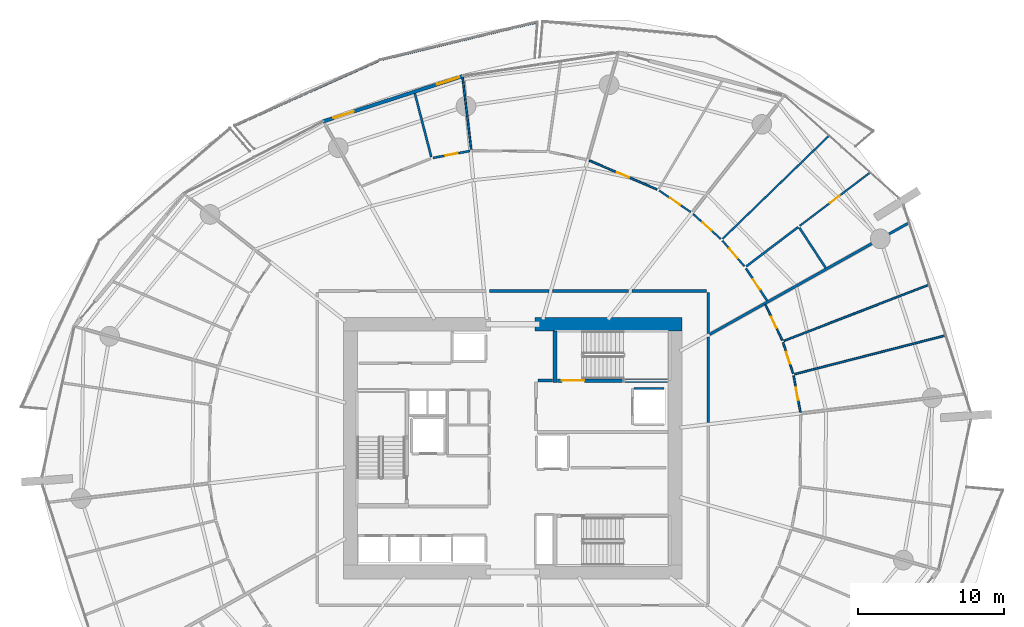
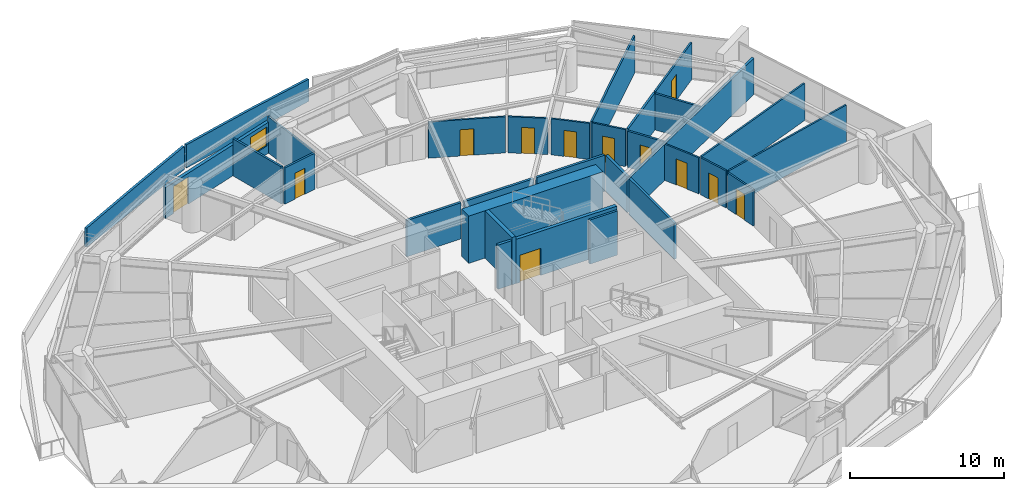
# One storey, part 23 of 31: 31 walls, 12 doors, 1 window, 13 openings.
"""IFC4 building model written with IfcOpenShell, lengths in metres."""

from ifc_helpers import new_model, si_unit, direction, frame, frame_2d, origin, place, context, subcontext, project, spatial, polyline, rectangle, outline, extrude, material, layer, layer_set, type_object, element, fill, save


model = new_model("IFC4")

# Units and contexts
model_context = context("Model", 3, precision=1e-05, world=origin(), true_north=direction((0.0, 1.0)))
body_context = subcontext(model_context, "Body", "Model", "MODEL_VIEW")
ifc_project = project(units=[si_unit("LENGTHUNIT", "METRE"), si_unit("AREAUNIT", "SQUARE_METRE"), si_unit("VOLUMEUNIT", "CUBIC_METRE"), si_unit("PLANEANGLEUNIT", "RADIAN"), si_unit("MASSUNIT", "GRAM", prefix="KILO")], contexts=[model_context])

# Site, building, storey
site_placement = place(None, origin())
site = spatial("IfcSite", under=ifc_project, at=site_placement, CompositionType="ELEMENT")
building_placement = place(site_placement, origin())
building = spatial("IfcBuilding", under=site, at=building_placement, Name="Kazma Halo Residences", CompositionType="ELEMENT")
storey_placement = place(building_placement, frame((0.0, 0.0, 30.14990234375)))
storey = spatial("IfcBuildingStorey", under=building, at=storey_placement, Name="L06", CompositionType="ELEMENT", Elevation=30.14990234375)

# Walls
ifc_material_1 = material(Name="White Concrete C50/60 Balustrade", Category="concrete")
ifc_layer_1 = layer(ifc_material_1, 0.179931640625)
ifc_layer_set_1 = layer_set([ifc_layer_1], Name="White Concrete C50/60 Balustrade")
wall_type_1 = type_object("IfcWallType", Name="WL-BAL-WAVE-180", PredefinedType="PARAPET", material=ifc_layer_set_1)
wall_1_placement = place(storey_placement, frame((50.115234375, 71.1533203125, 0.0), z_axis=(0.0, 0.0, 1.0), x_axis=(-0.972165741218, -0.234294198824, 0.0)))
element("IfcWall", 1, at=wall_1_placement, inside=storey, type_object=wall_type_1, Name="L06 white wave balustrade wall NNW.1", PredefinedType="PARAPET", context=body_context, shape_type="SweptSolid", body=[
    extrude(outline(polyline([(0.0, 0.0), (10.93408203125, 0.0), (10.93408203125, 1.83203125), (5.467041015625, 1.85302734375), (0.0, 1.756103515625), (0.0, 0.0)])), frame((0.0, 0.08984375, 0.0), z_axis=(0.0, -1.0, 0.0), x_axis=(1.0, 0.0, 0.0)), (0.0, 0.0, 1.0), 0.179931640625),
])
wall_2_placement = place(storey_placement, frame((39.259521484375, 68.51416015625, 0.0), z_axis=(0.0, 0.0, 1.0), x_axis=(-0.911628502068, -0.411015175167, 0.0)))
element("IfcWall", 2, at=wall_2_placement, inside=storey, type_object=wall_type_1, Name="L06 white wave balustrade wall NNW.2", PredefinedType="PARAPET", context=body_context, shape_type="SweptSolid", body=[
    extrude(outline(polyline([(0.0, 0.0), (10.82861328125, 0.0), (10.82861328125, 1.4970703125), (5.414306640625, 1.696044921875), (0.0, 1.83203125), (0.0, 0.0)])), frame((0.0, 0.08984375, 0.0), z_axis=(0.0, -1.0, 0.0), x_axis=(1.0, 0.0, 0.0)), (0.0, 0.0, 1.0), 0.179931640625),
])
ifc_material_2 = material(Name="Concrete C80/95", Category="concrete")
ifc_layer_2 = layer(ifc_material_2, 0.949951171875)
ifc_layer_set_2 = layer_set([ifc_layer_2], Name="Concrete C80/95")
wall_type_2 = type_object("IfcWallType", Name="WL-CORE-950", PredefinedType="SHEAR", material=ifc_layer_set_2)
wall_3_placement = place(storey_placement, frame((49.949951171875, 50.47509765625, 0.0), z_axis=(0.0, 0.0, 1.0), x_axis=(1.0, 0.0, 0.0)))
element("IfcWall", 3, at=wall_3_placement, inside=storey, type_object=wall_type_2, Name="L06 central core shear wall NE", PredefinedType="SHEAR", context=body_context, shape_type="SweptSolid", body=[
    extrude(rectangle(XDim=10.050048828125, YDim=0.949951171875, at=frame_2d((5.02490234375, 0.0))), origin(), (0.0, 0.0, 1.0), 3.75),
])
ifc_material_3 = material(Name="Concrete C60/75", Category="concrete")
ifc_layer_3 = layer(ifc_material_3, 0.280029296875)
ifc_layer_set_3 = layer_set([ifc_layer_3], Name="Concrete C60/75")
wall_type_3 = type_object("IfcWallType", Name="WL-CORE-ST-280", PredefinedType="SHEAR", material=ifc_layer_set_3)
wall_4_placement = place(storey_placement, frame((51.31005859375, 46.5, 0.0), z_axis=(0.0, 0.0, 1.0), x_axis=(0.0, 1.0, 0.0)))
element("IfcWall", 4, at=wall_4_placement, inside=storey, type_object=wall_type_3, Name="L06 stairwell bearing wall ST02-W", PredefinedType="SHEAR", context=body_context, shape_type="SweptSolid", body=[
    extrude(rectangle(XDim=3.5, YDim=0.280029296875, at=frame_2d((1.75, 0.0))), origin(), (0.0, 0.0, 1.0), 3.75),
])
ifc_material_4 = material(Name="Acoustic Twin-Stud Gypsum")
ifc_layer_4 = layer(ifc_material_4, 0.179931640625)
ifc_layer_set_4 = layer_set([ifc_layer_4], Name="Acoustic Twin-Stud Gypsum")
wall_type_4 = type_object("IfcWallType", Name="WL-DEM-180", PredefinedType="PARTITIONING", material=ifc_layer_set_4)
wall_5_placement = place(storey_placement, frame((61.89599609375, 49.781982421875, 0.0), z_axis=(0.0, 0.0, 1.0), x_axis=(0.872493215695, 0.488626225828, 0.0)))
element("IfcWall", 5, at=wall_5_placement, inside=storey, type_object=wall_type_4, Name="L06 apartment demising radial wall 00", PredefinedType="PARTITIONING", context=body_context, shape_type="SweptSolid", body=[
    extrude(rectangle(XDim=15.612060546875, YDim=0.179931640625, at=frame_2d((7.80615234375, 0.0))), origin(), (0.0, 0.0, 1.0), 2.8671875),
])
wall_6_placement = place(storey_placement, frame((61.800048828125, 49.848388671875, 0.0), z_axis=(0.0, 0.0, 1.0), x_axis=(0.0, 1.0, 0.0)))
element("IfcWall", 6, at=wall_6_placement, inside=storey, type_object=wall_type_4, Name="L06 Apartment 1 inner wall 0", PredefinedType="PARTITIONING", context=body_context, shape_type="SweptSolid", body=[
    extrude(rectangle(XDim=2.781494140625, YDim=0.179931640625, at=frame_2d((1.390625, 0.0))), origin(), (0.0, 0.0, 1.0), 2.8671875),
])
wall_7_placement = place(storey_placement, frame((61.679931640625, 52.75, 0.0), z_axis=(0.0, 0.0, 1.0), x_axis=(-1.0, 0.0, 0.0)))
element("IfcWall", 7, at=wall_7_placement, inside=storey, type_object=wall_type_4, Name="L06 Apartment 1 inner wall 0", PredefinedType="PARTITIONING", context=body_context, shape_type="SweptSolid", body=[
    extrude(rectangle(XDim=5.08544921875, YDim=0.179931640625, at=frame_2d((2.542724609375, 0.0))), origin(), (0.0, 0.0, 1.0), 2.8671875),
])
wall_8_placement = place(storey_placement, frame((56.3544921875, 52.75, 0.0), z_axis=(0.0, 0.0, 1.0), x_axis=(-1.0, 0.0, 0.0)))
element("IfcWall", 8, at=wall_8_placement, inside=storey, type_object=wall_type_4, Name="L06 Apartment 1 inner wall 1", PredefinedType="PARTITIONING", context=body_context, shape_type="SweptSolid", body=[
    extrude(rectangle(XDim=5.20263671875, YDim=0.179931640625, at=frame_2d((2.601318359375, 0.0))), origin(), (0.0, 0.0, 1.0), 2.8671875),
])
wall_9_placement = place(storey_placement, frame((50.911865234375, 52.75, 0.0), z_axis=(0.0, 0.0, 1.0), x_axis=(-1.0, 0.0, 0.0)))
element("IfcWall", 9, at=wall_9_placement, inside=storey, type_object=wall_type_4, Name="L06 Apartment 1 inner wall 2", PredefinedType="PARTITIONING", context=body_context, shape_type="SweptSolid", body=[
    extrude(rectangle(XDim=4.064208984375, YDim=0.179931640625, at=frame_2d((2.0322265625, 0.0))), origin(), (0.0, 0.0, 1.0), 2.8671875),
])
wall_10_placement = place(storey_placement, frame((61.800048828125, 43.75341796875, 0.0), z_axis=(0.0, 0.0, 1.0), x_axis=(0.0, 1.0, 0.0)))
element("IfcWall", 10, at=wall_10_placement, inside=storey, type_object=wall_type_4, Name="L06 Apartment 2 inner wall 15", PredefinedType="PARTITIONING", context=body_context, shape_type="SweptSolid", body=[
    extrude(rectangle(XDim=5.85498046875, YDim=0.179931640625, at=frame_2d((2.927490234375, 0.0))), origin(), (0.0, 0.0, 1.0), 2.8671875),
])

# Wall, openings, door, window
ifc_material_5 = material(Name="Insulated Pale-Metal Composite Wall")
ifc_layer_5 = layer(ifc_material_5, 0.239990234375)
ifc_layer_set_5 = layer_set([ifc_layer_5], Name="Insulated Pale-Metal Composite Wall")
wall_type_5 = type_object("IfcWallType", Name="WL-EXT-HOST-240", PredefinedType="SOLIDWALL", material=ifc_layer_set_5)
wall_11_placement = place(storey_placement, frame((45.0361328125, 67.45849609375, 0.0), z_axis=(0.0, 0.0, 1.0), x_axis=(-0.951054679225, -0.309022648238, 0.0)))
wall_11 = element("IfcWall", 11, at=wall_11_placement, inside=storey, type_object=wall_type_5, Name="L06 exterior terrace-access wall B04", PredefinedType="SOLIDWALL", context=body_context, shape_type="SweptSolid", body=[
    extrude(rectangle(XDim=10.0966796875, YDim=0.239990234375, at=frame_2d((5.04833984375, 0.0))), origin(), (0.0, 0.0, 1.0), 2.4501953125),
])
opening_1_placement = place(wall_11_placement, frame((7.876708984375, 0.0, 0.0)))
opening_1 = element("IfcOpeningElement", 12, at=opening_1_placement, cuts=wall_11, Name="Opening DTR-1600", PredefinedType="OPENING", context=body_context, shape_type="SweptSolid", body=[
    extrude(rectangle(XDim=1.449951171875, YDim=2.14990234375, at=frame_2d((0.72509765625, 1.074951171875))), frame((0.0, 0.1298828125, 0.0), z_axis=(0.0, -1.0, 0.0), x_axis=(1.0, 0.0, 0.0)), (0.0, 0.0, 1.0), 0.260009765625),
])
opening_2_placement = place(wall_11_placement, frame((0.280029296875, 0.0, 0.64990234375)))
opening_2 = element("IfcOpeningElement", 13, at=opening_2_placement, cuts=wall_11, Name="Opening W-1800", PredefinedType="OPENING", context=body_context, shape_type="SweptSolid", body=[
    extrude(rectangle(XDim=1.60009765625, YDim=1.5, at=frame_2d((0.800048828125, 0.75))), frame((0.0, 0.1298828125, 0.0), z_axis=(0.0, -1.0, 0.0), x_axis=(1.0, 0.0, 0.0)), (0.0, 0.0, 1.0), 0.260009765625),
])
ifc_material_6 = material(Name="Aluminium AW-6063 T6 Double-Glazed Terrace Door", Category="aluminium")
door_type_1 = type_object("IfcDoorType", Name="DR-EXT-TERR-1600", OperationType="NOTDEFINED", PredefinedType="DOOR", material=ifc_material_6)
door_1_placement = place(opening_1_placement, origin())
door_1 = element("IfcDoor", 14, at=door_1_placement, inside=storey, type_object=door_type_1, Name="L06 B04 balcony terrace door", OperationType="DOUBLE_DOOR_SLIDING", OverallHeight=2.14990234375, OverallWidth=1.449951171875, PredefinedType="DOOR", context=body_context, shape_type="SweptSolid", body=[
    extrude(rectangle(XDim=1.449951171875, YDim=2.14990234375, at=frame_2d((0.72509765625, 1.074951171875))), frame((0.0, 0.02490234375, 0.0), z_axis=(0.0, -1.0, 0.0), x_axis=(1.0, 0.0, 0.0)), (0.0, 0.0, 1.0), 0.050048828125),
])
fill(opening_1, door_1)
ifc_material_7 = material(Name="Clear Triple-Silver Low-E Glass in Aluminium AW-6063 T6 Frame", Category="aluminium")
window_type = type_object("IfcWindowType", Name="WIN-RES-1800", PartitioningType="DOUBLE_PANEL_VERTICAL", PredefinedType="WINDOW", material=ifc_material_7)
window_placement = place(opening_2_placement, origin())
window = element("IfcWindow", 15, at=window_placement, inside=storey, type_object=window_type, Name="L06 B04 apartment window", OverallHeight=1.5, OverallWidth=1.60009765625, PartitioningType="SINGLE_PANEL", PredefinedType="WINDOW", context=body_context, shape_type="SweptSolid", body=[
    extrude(rectangle(XDim=1.60009765625, YDim=1.5, at=frame_2d((0.800048828125, 0.75))), frame((0.0, 0.030029296875, 0.0), z_axis=(0.0, -1.0, 0.0), x_axis=(1.0, 0.0, 0.0)), (0.0, 0.0, 1.0), 0.06005859375),
])
fill(opening_2, window)

# Walls
ifc_material_8 = material(Name="Fire-Rated Blockwork Masonry", Category="masonry")
ifc_layer_6 = layer(ifc_material_8, 0.199951171875)
ifc_layer_set_6 = layer_set([ifc_layer_6], Name="Fire-Rated Blockwork Masonry")
wall_type_6 = type_object("IfcWallType", Name="WL-FLB-200", PredefinedType="PARTITIONING", material=ifc_layer_set_6)
wall_12_placement = place(storey_placement, frame((56.719970703125, 46.080078125, 0.0), z_axis=(0.0, 0.0, 1.0), x_axis=(1.0, 0.0, 0.0)))
element("IfcWall", 16, at=wall_12_placement, inside=storey, type_object=wall_type_6, Name="L06 lift shaft FL-02 side wall N", PredefinedType="PARTITIONING", context=body_context, shape_type="SweptSolid", body=[
    extrude(rectangle(XDim=2.06005859375, YDim=0.159912109375, at=frame_2d((1.030029296875, 0.0))), origin(), (0.0, 0.0, 1.0), 3.5),
])
wall_13_placement = place(storey_placement, frame((50.139892578125, 46.6201171875, 0.0), z_axis=(0.0, 0.0, 1.0), x_axis=(1.0, 0.0, 0.0)))
element("IfcWall", 17, at=wall_13_placement, inside=storey, type_object=wall_type_6, Name="L06 east firefighting lobby north closure wall", PredefinedType="PARTITIONING", context=body_context, shape_type="SweptSolid", body=[
    extrude(rectangle(XDim=1.02001953125, YDim=0.199951171875, at=frame_2d((0.510009765625, 0.0))), origin(), (0.0, 0.0, 1.0), 3.5),
])

# Wall, opening, door
ifc_material_9 = material(Name="Gypsum Plasterboard Partition")
ifc_layer_7 = layer(ifc_material_9, 0.125)
ifc_layer_set_7 = layer_set([ifc_layer_7], Name="Gypsum Plasterboard Partition")
wall_type_7 = type_object("IfcWallType", Name="WL-PART-125", PredefinedType="PARTITIONING", material=ifc_layer_set_7)
wall_14_placement = place(storey_placement, frame((68.051025390625, 57.203125, 0.0), z_axis=(0.0, 0.0, 1.0), x_axis=(0.796847589026, 0.604180370307, 0.0)))
wall_14 = element("IfcWall", 18, at=wall_14_placement, inside=storey, type_object=wall_type_7, Name="L06 Apartment 1 Household Store Room partition wall", PredefinedType="PARTITIONING", context=body_context, shape_type="SweptSolid", body=[
    extrude(rectangle(XDim=6.01513671875, YDim=0.125, at=frame_2d((3.007568359375, 0.0))), origin(), (0.0, 0.0, 1.0), 2.940185546875),
])
opening_3_placement = place(wall_14_placement, frame((2.58251953125, 0.0, 0.0)))
opening_3 = element("IfcOpeningElement", 19, at=opening_3_placement, cuts=wall_14, Name="Opening DB-900", PredefinedType="OPENING", context=body_context, shape_type="SweptSolid", body=[
    extrude(rectangle(XDim=0.85009765625, YDim=2.06005859375, at=frame_2d((0.425048828125, 1.030029296875))), frame((0.0, 0.072509765625, 0.0), z_axis=(0.0, -1.0, 0.0), x_axis=(1.0, 0.0, 0.0)), (0.0, 0.0, 1.0), 0.14501953125),
])
ifc_material_10 = material(Name="Moisture-Sealed Timber Leaf", Category="wood")
door_type_2 = type_object("IfcDoorType", Name="DR-BTH-900", OperationType="NOTDEFINED", PredefinedType="DOOR", material=ifc_material_10)
door_2_placement = place(opening_3_placement, origin())
door_2 = element("IfcDoor", 20, at=door_2_placement, inside=storey, type_object=door_type_2, Name="L06 Apartment 1 Household Store Room door", OperationType="SINGLE_SWING_RIGHT", OverallHeight=2.06005859375, OverallWidth=0.85009765625, PredefinedType="DOOR", context=body_context, shape_type="SweptSolid", body=[
    extrude(rectangle(XDim=0.85009765625, YDim=2.06005859375, at=frame_2d((0.425048828125, 1.030029296875))), frame((0.0, 0.02490234375, 0.0), z_axis=(0.0, -1.0, 0.0), x_axis=(1.0, 0.0, 0.0)), (0.0, 0.0, 1.0), 0.050048828125),
])
fill(opening_3, door_2)

# Wall
wall_15_placement = place(storey_placement, frame((62.775146484375, 56.31591796875, 0.0), z_axis=(0.0, 0.0, 1.0), x_axis=(0.718182919159, 0.695854363088, 0.0)))
element("IfcWall", 21, at=wall_15_placement, inside=storey, type_object=wall_type_7, Name="L06 Apartment 1 suite divider 0", PredefinedType="PARTITIONING", context=body_context, shape_type="SweptSolid", body=[
    extrude(rectangle(XDim=10.114013671875, YDim=0.125, at=frame_2d((5.05712890625, 0.0))), origin(), (0.0, 0.0, 1.0), 2.940185546875),
])

# Wall, opening, door
wall_16_placement = place(storey_placement, frame((64.26318359375, 54.44384765625, 0.0), z_axis=(0.0, 0.0, 1.0), x_axis=(-0.651227570151, 0.758882502022, 0.0)))
wall_16 = element("IfcWall", 22, at=wall_16_placement, inside=storey, type_object=wall_type_7, Name="L06 Apartment 1 Gourmet Kitchen hall wall", PredefinedType="PARTITIONING", context=body_context, shape_type="SweptSolid", body=[
    extrude(rectangle(XDim=2.30419921875, YDim=0.125, at=frame_2d((1.152099609375, 0.0))), origin(), (0.0, 0.0, 1.0), 2.940185546875),
])
opening_4_placement = place(wall_16_placement, frame((0.72705078125, 0.0, 0.0)))
opening_4 = element("IfcOpeningElement", 23, at=opening_4_placement, cuts=wall_16, Name="Opening DB-900", PredefinedType="OPENING", context=body_context, shape_type="SweptSolid", body=[
    extrude(rectangle(XDim=0.85009765625, YDim=2.06005859375, at=frame_2d((0.425048828125, 1.030029296875))), frame((0.0, 0.072509765625, 0.0), z_axis=(0.0, -1.0, 0.0), x_axis=(1.0, 0.0, 0.0)), (0.0, 0.0, 1.0), 0.14501953125),
])
door_3_placement = place(opening_4_placement, origin())
door_3 = element("IfcDoor", 24, at=door_3_placement, inside=storey, type_object=door_type_2, Name="L06 Apartment 1 Gourmet Kitchen door", OperationType="SINGLE_SWING_LEFT", OverallHeight=2.06005859375, OverallWidth=0.85009765625, PredefinedType="DOOR", context=body_context, shape_type="SweptSolid", body=[
    extrude(rectangle(XDim=0.85009765625, YDim=2.06005859375, at=frame_2d((0.425048828125, 1.030029296875))), frame((0.0, 0.02490234375, 0.0), z_axis=(0.0, -1.0, 0.0), x_axis=(1.0, 0.0, 0.0)), (0.0, 0.0, 1.0), 0.050048828125),
])
fill(opening_4, door_3)

wall_17_placement = place(storey_placement, frame((62.651123046875, 56.306884765625, 0.0), z_axis=(0.0, 0.0, 1.0), x_axis=(-0.742266720662, 0.670104555571, 0.0)))
wall_17 = element("IfcWall", 25, at=wall_17_placement, inside=storey, type_object=wall_type_7, Name="L06 Apartment 1 Primary Bedroom hall wall", PredefinedType="PARTITIONING", context=body_context, shape_type="SweptSolid", body=[
    extrude(rectangle(XDim=2.554443359375, YDim=0.125, at=frame_2d((1.27734375, 0.0))), origin(), (0.0, 0.0, 1.0), 2.8671875),
])
opening_5_placement = place(wall_17_placement, frame((0.852294921875, 0.0, 0.0)))
opening_5 = element("IfcOpeningElement", 26, at=opening_5_placement, cuts=wall_17, Name="Opening DB-900", PredefinedType="OPENING", context=body_context, shape_type="SweptSolid", body=[
    extrude(rectangle(XDim=0.85009765625, YDim=2.06005859375, at=frame_2d((0.425048828125, 1.030029296875))), frame((0.0, 0.072509765625, 0.0), z_axis=(0.0, -1.0, 0.0), x_axis=(1.0, 0.0, 0.0)), (0.0, 0.0, 1.0), 0.14501953125),
])
door_4_placement = place(opening_5_placement, origin())
door_4 = element("IfcDoor", 27, at=door_4_placement, inside=storey, type_object=door_type_2, Name="L06 Apartment 1 Primary Bedroom door", OperationType="SINGLE_SWING_RIGHT", OverallHeight=2.06005859375, OverallWidth=0.85009765625, PredefinedType="DOOR", context=body_context, shape_type="SweptSolid", body=[
    extrude(rectangle(XDim=0.85009765625, YDim=2.06005859375, at=frame_2d((0.425048828125, 1.030029296875))), frame((0.0, 0.02490234375, 0.0), z_axis=(0.0, -1.0, 0.0), x_axis=(1.0, 0.0, 0.0)), (0.0, 0.0, 1.0), 0.050048828125),
])
fill(opening_5, door_4)

wall_18_placement = place(storey_placement, frame((60.598388671875, 58.14208984375, 0.0), z_axis=(0.0, 0.0, 1.0), x_axis=(-0.82573951311, 0.56405164346, 0.0)))
wall_18 = element("IfcWall", 28, at=wall_18_placement, inside=storey, type_object=wall_type_7, Name="L06 Apartment 1 East Wine Pantry Store hall wall", PredefinedType="PARTITIONING", context=body_context, shape_type="SweptSolid", body=[
    extrude(rectangle(XDim=2.616943359375, YDim=0.125, at=frame_2d((1.30859375, 0.0))), origin(), (0.0, 0.0, 1.0), 2.8671875),
])
opening_6_placement = place(wall_18_placement, frame((0.883544921875, 0.0, 0.0)))
opening_6 = element("IfcOpeningElement", 29, at=opening_6_placement, cuts=wall_18, Name="Opening DB-900", PredefinedType="OPENING", context=body_context, shape_type="SweptSolid", body=[
    extrude(rectangle(XDim=0.85009765625, YDim=2.06005859375, at=frame_2d((0.425048828125, 1.030029296875))), frame((0.0, 0.072509765625, 0.0), z_axis=(0.0, -1.0, 0.0), x_axis=(1.0, 0.0, 0.0)), (0.0, 0.0, 1.0), 0.14501953125),
])
door_5_placement = place(opening_6_placement, origin())
door_5 = element("IfcDoor", 30, at=door_5_placement, inside=storey, type_object=door_type_2, Name="L06 Apartment 1 East Wine Pantry Store door", OperationType="SINGLE_SWING_RIGHT", OverallHeight=2.06005859375, OverallWidth=0.85009765625, PredefinedType="DOOR", context=body_context, shape_type="SweptSolid", body=[
    extrude(rectangle(XDim=0.85009765625, YDim=2.06005859375, at=frame_2d((0.425048828125, 1.030029296875))), frame((0.0, 0.02490234375, 0.0), z_axis=(0.0, -1.0, 0.0), x_axis=(1.0, 0.0, 0.0)), (0.0, 0.0, 1.0), 0.050048828125),
])
fill(opening_6, door_5)

wall_19_placement = place(storey_placement, frame((58.297607421875, 59.694580078125, 0.0), z_axis=(0.0, 0.0, 1.0), x_axis=(-0.919918404985, 0.392109841969, 0.0)))
wall_19 = element("IfcWall", 31, at=wall_19_placement, inside=storey, type_object=wall_type_7, Name="L06 Apartment 1 West Formal Dining Room hall wall", PredefinedType="PARTITIONING", context=body_context, shape_type="SweptSolid", body=[
    extrude(rectangle(XDim=5.05029296875, YDim=0.125, at=frame_2d((2.525146484375, 0.0))), origin(), (0.0, 0.0, 1.0), 2.8671875),
])
opening_7_placement = place(wall_19_placement, frame((2.0751953125, 0.0, 0.0)))
opening_7 = element("IfcOpeningElement", 32, at=opening_7_placement, cuts=wall_19, Name="Opening DI-950", PredefinedType="OPENING", context=body_context, shape_type="SweptSolid", body=[
    extrude(rectangle(XDim=0.89990234375, YDim=2.080078125, at=frame_2d((0.449951171875, 1.0400390625))), frame((0.0, 0.072509765625, 0.0), z_axis=(0.0, -1.0, 0.0), x_axis=(1.0, 0.0, 0.0)), (0.0, 0.0, 1.0), 0.14501953125),
])
ifc_material_11 = material(Name="Timber Veneer Flush Leaf", Category="wood")
door_type_3 = type_object("IfcDoorType", Name="DR-INT-950", OperationType="NOTDEFINED", PredefinedType="DOOR", material=ifc_material_11)
door_6_placement = place(opening_7_placement, origin())
door_6 = element("IfcDoor", 33, at=door_6_placement, inside=storey, type_object=door_type_3, Name="L06 Apartment 1 West Formal Dining Room door", OperationType="SINGLE_SWING_LEFT", OverallHeight=2.080078125, OverallWidth=0.89990234375, PredefinedType="DOOR", context=body_context, shape_type="SweptSolid", body=[
    extrude(rectangle(XDim=0.89990234375, YDim=2.080078125, at=frame_2d((0.449951171875, 1.0400390625))), frame((0.0, 0.02490234375, 0.0), z_axis=(0.0, -1.0, 0.0), x_axis=(1.0, 0.0, 0.0)), (0.0, 0.0, 1.0), 0.050048828125),
])
fill(opening_7, door_6)

# Walls
wall_20_placement = place(storey_placement, frame((45.580810546875, 62.440185546875, 0.0), z_axis=(0.0, 0.0, 1.0), x_axis=(-0.117522242016, 0.993070250602, 0.0)))
element("IfcWall", 34, at=wall_20_placement, inside=storey, type_object=wall_type_7, Name="L06 Apartment 1 radial partition 3", PredefinedType="PARTITIONING", context=body_context, shape_type="SweptSolid", body=[
    extrude(rectangle(XDim=5.0126953125, YDim=0.125, at=frame_2d((2.50634765625, 0.0))), origin(), (0.0, 0.0, 1.0), 2.8671875),
])
wall_21_placement = place(storey_placement, frame((67.703857421875, 47.05908203125, 0.0), z_axis=(0.0, 0.0, 1.0), x_axis=(0.968581650893, 0.248695769071, 0.0)))
element("IfcWall", 35, at=wall_21_placement, inside=storey, type_object=wall_type_7, Name="L06 Apartment 2 bay wall 1 15", PredefinedType="PARTITIONING", context=body_context, shape_type="SweptSolid", body=[
    extrude(rectangle(XDim=10.650390625, YDim=0.125, at=frame_2d((5.3251953125, 0.0))), origin(), (0.0, 0.0, 1.0), 2.940185546875),
])
wall_22_placement = place(storey_placement, frame((66.97265625, 49.340087890625, 0.0), z_axis=(0.0, 0.0, 1.0), x_axis=(0.93264336061, 0.360799614621, 0.0)))
element("IfcWall", 36, at=wall_22_placement, inside=storey, type_object=wall_type_7, Name="L06 Apartment 2 bay wall 2 15", PredefinedType="PARTITIONING", context=body_context, shape_type="SweptSolid", body=[
    extrude(rectangle(XDim=10.6357421875, YDim=0.125, at=frame_2d((5.31787109375, 0.0))), origin(), (0.0, 0.0, 1.0), 2.940185546875),
])

# Wall, opening, door
wall_23_placement = place(storey_placement, frame((68.097900390625, 44.458984375, 0.0), z_axis=(0.0, 0.0, 1.0), x_axis=(-0.183523097457, 0.983015397997, 0.0)))
wall_23 = element("IfcWall", 37, at=wall_23_placement, inside=storey, type_object=wall_type_7, Name="L06 Apartment 2 Secondary Master Bedroom hall wall", PredefinedType="PARTITIONING", context=body_context, shape_type="SweptSolid", body=[
    extrude(rectangle(XDim=2.542236328125, YDim=0.125, at=frame_2d((1.27099609375, 0.0))), origin(), (0.0, 0.0, 1.0), 2.8671875),
])
opening_8_placement = place(wall_23_placement, frame((0.84619140625, 0.0, 0.0)))
opening_8 = element("IfcOpeningElement", 38, at=opening_8_placement, cuts=wall_23, Name="Opening DB-900", PredefinedType="OPENING", context=body_context, shape_type="SweptSolid", body=[
    extrude(rectangle(XDim=0.85009765625, YDim=2.06005859375, at=frame_2d((0.425048828125, 1.030029296875))), frame((0.0, 0.072509765625, 0.0), z_axis=(0.0, -1.0, 0.0), x_axis=(1.0, 0.0, 0.0)), (0.0, 0.0, 1.0), 0.14501953125),
])
door_7_placement = place(opening_8_placement, origin())
door_7 = element("IfcDoor", 39, at=door_7_placement, inside=storey, type_object=door_type_2, Name="L06 Apartment 2 Secondary Master Bedroom door", OperationType="SINGLE_SWING_LEFT", OverallHeight=2.06005859375, OverallWidth=0.85009765625, PredefinedType="DOOR", context=body_context, shape_type="SweptSolid", body=[
    extrude(rectangle(XDim=0.85009765625, YDim=2.06005859375, at=frame_2d((0.425048828125, 1.030029296875))), frame((0.0, 0.02490234375, 0.0), z_axis=(0.0, -1.0, 0.0), x_axis=(1.0, 0.0, 0.0)), (0.0, 0.0, 1.0), 0.050048828125),
])
fill(opening_8, door_7)

wall_24_placement = place(storey_placement, frame((67.59228515625, 47.11279296875, 0.0), z_axis=(0.0, 0.0, 1.0), x_axis=(-0.305309270218, 0.952253248626, 0.0)))
wall_24 = element("IfcWall", 40, at=wall_24_placement, inside=storey, type_object=wall_type_7, Name="L06 Apartment 2 East Dressing Wardrobe hall wall", PredefinedType="PARTITIONING", context=body_context, shape_type="SweptSolid", body=[
    extrude(rectangle(XDim=2.224609375, YDim=0.125, at=frame_2d((1.1123046875, 0.0))), origin(), (0.0, 0.0, 1.0), 2.940185546875),
])
opening_9_placement = place(wall_24_placement, frame((0.687255859375, 0.0, 0.0)))
opening_9 = element("IfcOpeningElement", 41, at=opening_9_placement, cuts=wall_24, Name="Opening DB-900", PredefinedType="OPENING", context=body_context, shape_type="SweptSolid", body=[
    extrude(rectangle(XDim=0.85009765625, YDim=2.06005859375, at=frame_2d((0.425048828125, 1.030029296875))), frame((0.0, 0.072509765625, 0.0), z_axis=(0.0, -1.0, 0.0), x_axis=(1.0, 0.0, 0.0)), (0.0, 0.0, 1.0), 0.14501953125),
])
door_8_placement = place(opening_9_placement, origin())
door_8 = element("IfcDoor", 42, at=door_8_placement, inside=storey, type_object=door_type_2, Name="L06 Apartment 2 East Dressing Wardrobe door", OperationType="SINGLE_SWING_RIGHT", OverallHeight=2.06005859375, OverallWidth=0.85009765625, PredefinedType="DOOR", context=body_context, shape_type="SweptSolid", body=[
    extrude(rectangle(XDim=0.85009765625, YDim=2.06005859375, at=frame_2d((0.425048828125, 1.030029296875))), frame((0.0, 0.02490234375, 0.0), z_axis=(0.0, -1.0, 0.0), x_axis=(1.0, 0.0, 0.0)), (0.0, 0.0, 1.0), 0.050048828125),
])
fill(opening_9, door_8)

wall_25_placement = place(storey_placement, frame((66.8544921875, 49.3798828125, 0.0), z_axis=(0.0, 0.0, 1.0), x_axis=(-0.425714313245, 0.904857626093, 0.0)))
wall_25 = element("IfcWall", 43, at=wall_25_placement, inside=storey, type_object=wall_type_7, Name="L06 Apartment 2 West Master Bedroom hall wall", PredefinedType="PARTITIONING", context=body_context, shape_type="SweptSolid", body=[
    extrude(rectangle(XDim=2.700439453125, YDim=0.125, at=frame_2d((1.35009765625, 0.0))), origin(), (0.0, 0.0, 1.0), 2.8671875),
])
opening_10_placement = place(wall_25_placement, frame((0.92529296875, 0.0, 0.0)))
opening_10 = element("IfcOpeningElement", 44, at=opening_10_placement, cuts=wall_25, Name="Opening DB-900", PredefinedType="OPENING", context=body_context, shape_type="SweptSolid", body=[
    extrude(rectangle(XDim=0.85009765625, YDim=2.06005859375, at=frame_2d((0.425048828125, 1.030029296875))), frame((0.0, 0.072509765625, 0.0), z_axis=(0.0, -1.0, 0.0), x_axis=(1.0, 0.0, 0.0)), (0.0, 0.0, 1.0), 0.14501953125),
])
door_9_placement = place(opening_10_placement, origin())
door_9 = element("IfcDoor", 45, at=door_9_placement, inside=storey, type_object=door_type_2, Name="L06 Apartment 2 West Master Bedroom door", OperationType="SINGLE_SWING_LEFT", OverallHeight=2.06005859375, OverallWidth=0.85009765625, PredefinedType="DOOR", context=body_context, shape_type="SweptSolid", body=[
    extrude(rectangle(XDim=0.85009765625, YDim=2.06005859375, at=frame_2d((0.425048828125, 1.030029296875))), frame((0.0, 0.02490234375, 0.0), z_axis=(0.0, -1.0, 0.0), x_axis=(1.0, 0.0, 0.0)), (0.0, 0.0, 1.0), 0.050048828125),
])
fill(opening_10, door_9)

ifc_material_12 = material(Name="Concrete C50/60", Category="concrete")
ifc_layer_8 = layer(ifc_material_12, 0.25)
ifc_layer_set_8 = layer_set([ifc_layer_8], Name="Concrete C50/60")
wall_type_8 = type_object("IfcWallType", Name="WL-SHF-250", PredefinedType="SOLIDWALL", material=ifc_layer_set_8)
wall_26_placement = place(storey_placement, frame((51.47998046875, 46.6201171875, 0.0), z_axis=(0.0, 0.0, 1.0), x_axis=(1.0, 0.0, 0.0)))
wall_26 = element("IfcWall", 46, at=wall_26_placement, inside=storey, type_object=wall_type_8, Name="L06 exit stair ST-02 enclosure wall", PredefinedType="SOLIDWALL", context=body_context, shape_type="SweptSolid", body=[
    extrude(rectangle(XDim=7.5400390625, YDim=0.25, at=frame_2d((3.77001953125, 0.0))), origin(), (0.0, 0.0, 1.0), 3.5),
])
opening_11_placement = place(wall_26_placement, frame((0.300048828125, 0.0, 0.0)))
opening_11 = element("IfcOpeningElement", 47, at=opening_11_placement, cuts=wall_26, Name="Opening D-ST2", PredefinedType="OPENING", context=body_context, shape_type="SweptSolid", body=[
    extrude(rectangle(XDim=1.550048828125, YDim=2.14990234375, at=frame_2d((0.77490234375, 1.074951171875))), frame((0.0, 0.135009765625, 0.0), z_axis=(0.0, -1.0, 0.0), x_axis=(1.0, 0.0, 0.0)), (0.0, 0.0, 1.0), 0.27001953125),
])
ifc_material_13 = material(Name="Fire-Rated Double Steel Leaf", Category="steel")
door_type_4 = type_object("IfcDoorType", Name="DR-FD90-1550", OperationType="NOTDEFINED", PredefinedType="DOOR", material=ifc_material_13)
door_10_placement = place(opening_11_placement, origin())
door_10 = element("IfcDoor", 48, at=door_10_placement, inside=storey, type_object=door_type_4, Name="L06 exit stair ST-02 fire door", OperationType="DOUBLE_DOOR_SINGLE_SWING", OverallHeight=2.14990234375, OverallWidth=1.550048828125, PredefinedType="DOOR", context=body_context, shape_type="SweptSolid", body=[
    extrude(rectangle(XDim=1.550048828125, YDim=2.14990234375, at=frame_2d((0.77490234375, 1.074951171875))), frame((0.0, 0.02490234375, 0.0), z_axis=(0.0, -1.0, 0.0), x_axis=(1.0, 0.0, 0.0)), (0.0, 0.0, 1.0), 0.050048828125),
])
fill(opening_11, door_10)

ifc_material_14 = material(Name="Moisture-Resistant Gypsum")
ifc_layer_9 = layer(ifc_material_14, 0.14990234375)
ifc_layer_set_9 = layer_set([ifc_layer_9], Name="Moisture-Resistant Gypsum")
wall_type_9 = type_object("IfcWallType", Name="WL-WET-150", PredefinedType="PARTITIONING", material=ifc_layer_set_9)
wall_27_placement = place(storey_placement, frame((65.81640625, 52.092041015625, 0.0), z_axis=(0.0, 0.0, 1.0), x_axis=(-0.547635625156, 0.836716930664, 0.0)))
wall_27 = element("IfcWall", 49, at=wall_27_placement, inside=storey, type_object=wall_type_9, Name="L06 Apartment 1 Guest Bathroom hall wall", PredefinedType="PARTITIONING", context=body_context, shape_type="SweptSolid", body=[
    extrude(rectangle(XDim=2.63916015625, YDim=0.14990234375, at=frame_2d((1.319580078125, 0.0))), origin(), (0.0, 0.0, 1.0), 2.8671875),
])
opening_12_placement = place(wall_27_placement, frame((0.89453125, 0.0, 0.0)))
opening_12 = element("IfcOpeningElement", 50, at=opening_12_placement, cuts=wall_27, Name="Opening DB-900", PredefinedType="OPENING", context=body_context, shape_type="SweptSolid", body=[
    extrude(rectangle(XDim=0.85009765625, YDim=2.06005859375, at=frame_2d((0.425048828125, 1.030029296875))), frame((0.0, 0.0849609375, 0.0), z_axis=(0.0, -1.0, 0.0), x_axis=(1.0, 0.0, 0.0)), (0.0, 0.0, 1.0), 0.169921875),
])
door_11_placement = place(opening_12_placement, origin())
door_11 = element("IfcDoor", 51, at=door_11_placement, inside=storey, type_object=door_type_2, Name="L06 Apartment 1 Guest Bathroom door", OperationType="SINGLE_SWING_LEFT", OverallHeight=2.06005859375, OverallWidth=0.85009765625, PredefinedType="DOOR", context=body_context, shape_type="SweptSolid", body=[
    extrude(rectangle(XDim=0.85009765625, YDim=2.06005859375, at=frame_2d((0.425048828125, 1.030029296875))), frame((0.0, 0.02490234375, 0.0), z_axis=(0.0, -1.0, 0.0), x_axis=(1.0, 0.0, 0.0)), (0.0, 0.0, 1.0), 0.050048828125),
])
fill(opening_12, door_11)

# Walls
wall_28_placement = place(storey_placement, frame((69.8212890625, 54.3349609375, 0.0), z_axis=(0.0, 0.0, 1.0), x_axis=(-0.547709492592, 0.836668579382, 0.0)))
element("IfcWall", 52, at=wall_28_placement, inside=storey, type_object=wall_type_9, Name="L06 Apartment 1 Guest Bathroom back wall", PredefinedType="PARTITIONING", context=body_context, shape_type="SweptSolid", body=[
    extrude(rectangle(XDim=3.273193359375, YDim=0.14990234375, at=frame_2d((1.63671875, 0.0))), origin(), (0.0, 0.0, 1.0), 2.8671875),
])
wall_29_placement = place(storey_placement, frame((64.3935546875, 54.429931640625, 0.0), z_axis=(0.0, 0.0, 1.0), x_axis=(0.796855751732, 0.604169604442, 0.0)))
element("IfcWall", 53, at=wall_29_placement, inside=storey, type_object=wall_type_9, Name="L06 Apartment 1 Guest Bathroom side wall", PredefinedType="PARTITIONING", context=body_context, shape_type="SweptSolid", body=[
    extrude(rectangle(XDim=4.4599609375, YDim=0.14990234375, at=frame_2d((2.22998046875, 0.0))), origin(), (0.0, 0.0, 1.0), 2.940185546875),
])

# Wall, opening, door
wall_30_placement = place(storey_placement, frame((45.494140625, 62.322509765625, 0.0), z_axis=(0.0, 0.0, 1.0), x_axis=(-0.982882919375, -0.184231286161, 0.0)))
wall_30 = element("IfcWall", 54, at=wall_30_placement, inside=storey, type_object=wall_type_9, Name="L06 Apartment 1 Inner En-Suite Bathroom hall wall", PredefinedType="PARTITIONING", context=body_context, shape_type="SweptSolid", body=[
    extrude(rectangle(XDim=2.574951171875, YDim=0.14990234375, at=frame_2d((1.28759765625, 0.0))), origin(), (0.0, 0.0, 1.0), 2.8671875),
])
opening_13_placement = place(wall_30_placement, frame((0.8623046875, 0.0, 0.0)))
opening_13 = element("IfcOpeningElement", 55, at=opening_13_placement, cuts=wall_30, Name="Opening DB-900", PredefinedType="OPENING", context=body_context, shape_type="SweptSolid", body=[
    extrude(rectangle(XDim=0.85009765625, YDim=2.06005859375, at=frame_2d((0.425048828125, 1.030029296875))), frame((0.0, 0.0849609375, 0.0), z_axis=(0.0, -1.0, 0.0), x_axis=(1.0, 0.0, 0.0)), (0.0, 0.0, 1.0), 0.169921875),
])
door_12_placement = place(opening_13_placement, origin())
door_12 = element("IfcDoor", 56, at=door_12_placement, inside=storey, type_object=door_type_2, Name="L06 Apartment 1 Inner En-Suite Bathroom door", OperationType="SINGLE_SWING_RIGHT", OverallHeight=2.06005859375, OverallWidth=0.85009765625, PredefinedType="DOOR", context=body_context, shape_type="SweptSolid", body=[
    extrude(rectangle(XDim=0.85009765625, YDim=2.06005859375, at=frame_2d((0.425048828125, 1.030029296875))), frame((0.0, 0.02490234375, 0.0), z_axis=(0.0, -1.0, 0.0), x_axis=(1.0, 0.0, 0.0)), (0.0, 0.0, 1.0), 0.050048828125),
])
fill(opening_13, door_12)

# Wall
wall_31_placement = place(storey_placement, frame((42.852294921875, 61.918701171875, 0.0), z_axis=(0.0, 0.0, 1.0), x_axis=(-0.250174852853, 0.968200672898, 0.0)))
element("IfcWall", 57, at=wall_31_placement, inside=storey, type_object=wall_type_9, Name="L06 Apartment 1 Inner En-Suite Bathroom side wall", PredefinedType="PARTITIONING", context=body_context, shape_type="SweptSolid", body=[
    extrude(rectangle(XDim=4.477294921875, YDim=0.14990234375, at=frame_2d((2.23876953125, 0.0))), origin(), (0.0, 0.0, 1.0), 2.940185546875),
])

save(model, "model.ifc")
